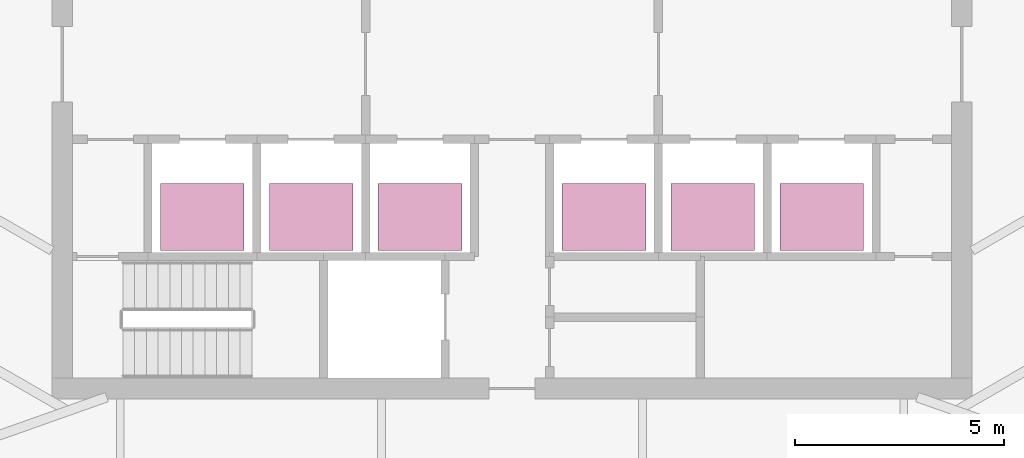
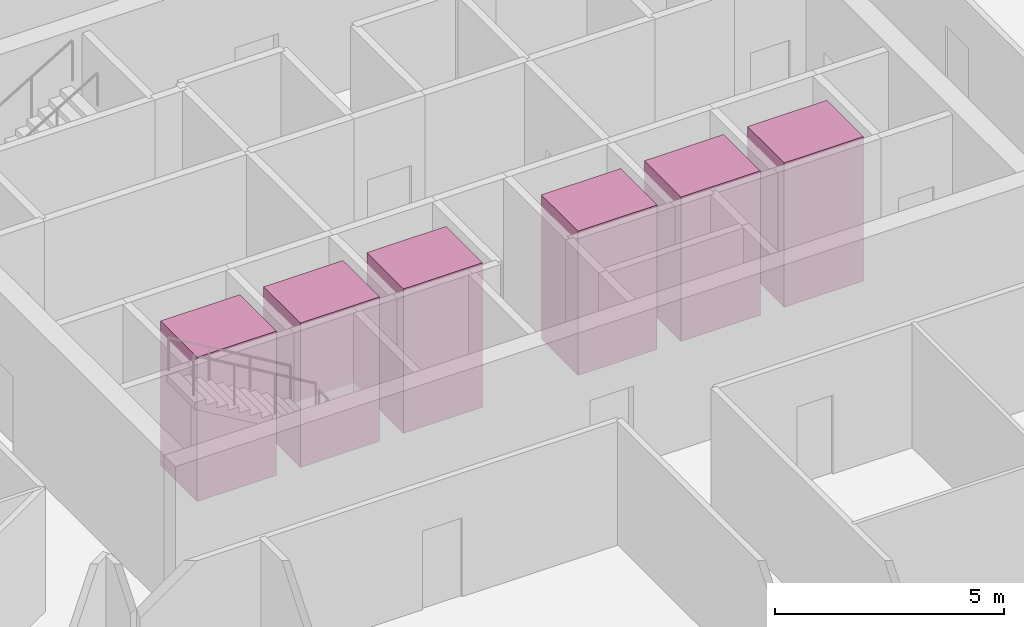
# One storey, part 16 of 16: 6 transport elements.
"""IFC4 building model written with IfcOpenShell, lengths in metres."""

from ifc_helpers import new_model, si_unit, direction, frame, origin, origin_2d, place, context, subcontext, project, spatial, rectangle, extrude, material, type_object, element, save


model = new_model("IFC4")

# Units and contexts
model_context = context("Model", 3, precision=1e-05, world=origin(), true_north=direction((0.0, 1.0)))
body_context = subcontext(model_context, "Body", "Model", "MODEL_VIEW")
ifc_project = project(units=[si_unit("LENGTHUNIT", "METRE"), si_unit("AREAUNIT", "SQUARE_METRE"), si_unit("VOLUMEUNIT", "CUBIC_METRE"), si_unit("PLANEANGLEUNIT", "RADIAN"), si_unit("MASSUNIT", "GRAM", prefix="KILO")], contexts=[model_context])

# Site, building, storey
site_placement = place(None, origin())
site = spatial("IfcSite", under=ifc_project, at=site_placement, CompositionType="ELEMENT")
building_placement = place(site_placement, origin())
building = spatial("IfcBuilding", under=site, at=building_placement, Name="Sierra Prisma Convention Tower", CompositionType="ELEMENT")
storey_placement = place(building_placement, frame((0.0, 0.0, 303.0)))
storey = spatial("IfcBuildingStorey", under=building, at=storey_placement, Name="L69", CompositionType="ELEMENT", Elevation=303.0)

# Transport elements
ifc_material = material(Name="Stainless steel", Category="steel")
transport_element_type = type_object("IfcTransportElementType", Name="Lift car office high 2000x1600 1600 kg", PredefinedType="ELEVATOR", material=ifc_material)
for number, where, z_axis, x_axis, name in (
    (1, (-7.39990234375, -3.64990234375, 0.0), (0.0, 0.0, 1.0), (1.0, 0.0, 0.0), "Lift OH1"),
    (2, (-4.800048828125, -3.64990234375, 0.0), (0.0, 0.0, 1.0), (1.0, 0.0, 0.0), "Lift OH2"),
    (3, (-2.199951171875, -3.64990234375, 0.0), (0.0, 0.0, 1.0), (1.0, 0.0, 0.0), "Lift OH3"),
    (4, (2.199951171875, -3.64990234375, 0.0), (0.0, 0.0, 1.0), (1.0, 0.0, 0.0), "Lift OH4"),
    (5, (4.800048828125, -3.64990234375, 0.0), (0.0, 0.0, 1.0), (1.0, 0.0, 0.0), "Lift OH5"),
    (6, (7.39990234375, -3.64990234375, 0.0), (0.0, 0.0, 1.0), (1.0, 0.0, 0.0), "Lift OH6"),
):
    element("IfcTransportElement", number, at=place(storey_placement, frame(where, z_axis=z_axis, x_axis=x_axis)), inside=storey, type_object=transport_element_type, Name=name, PredefinedType="ELEVATOR", context=body_context, shape_type="SweptSolid", body=[
        extrude(rectangle(XDim=2.0, YDim=1.60009765625, at=origin_2d()), origin(), (0.0, 0.0, 1.0), 3.85009765625),
    ])

save(model, "model.ifc")
